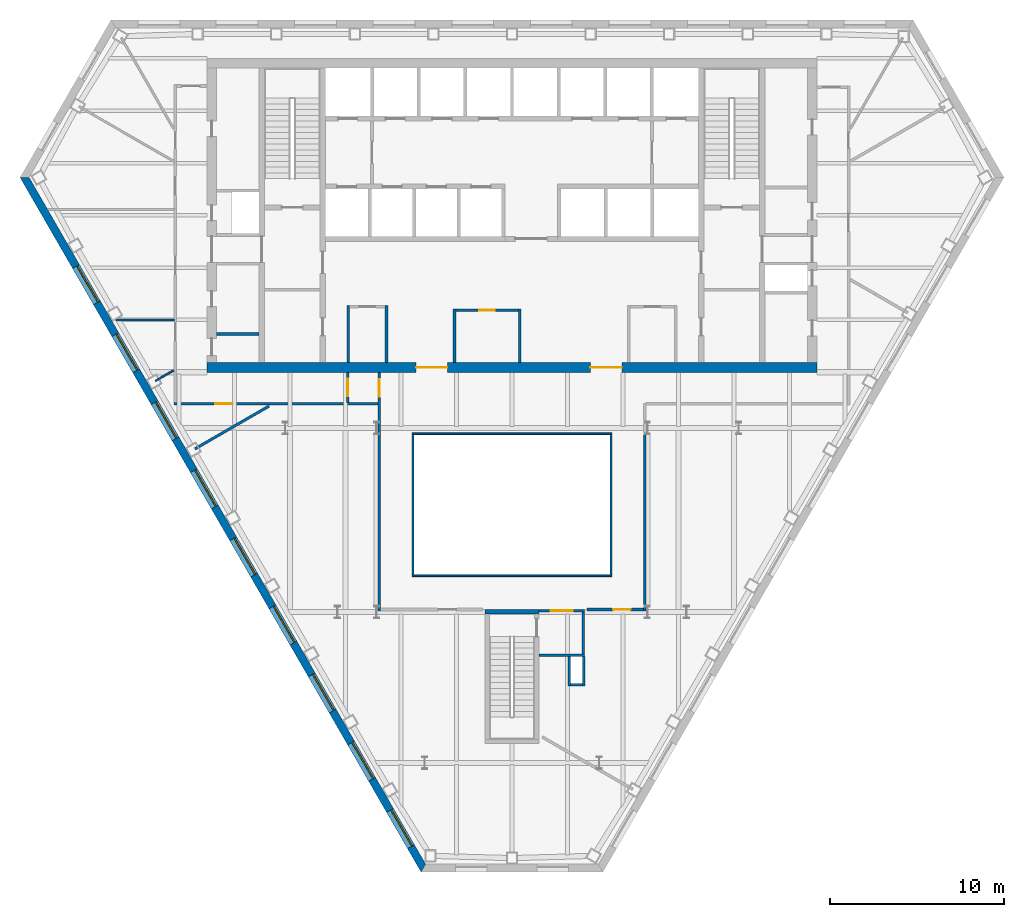
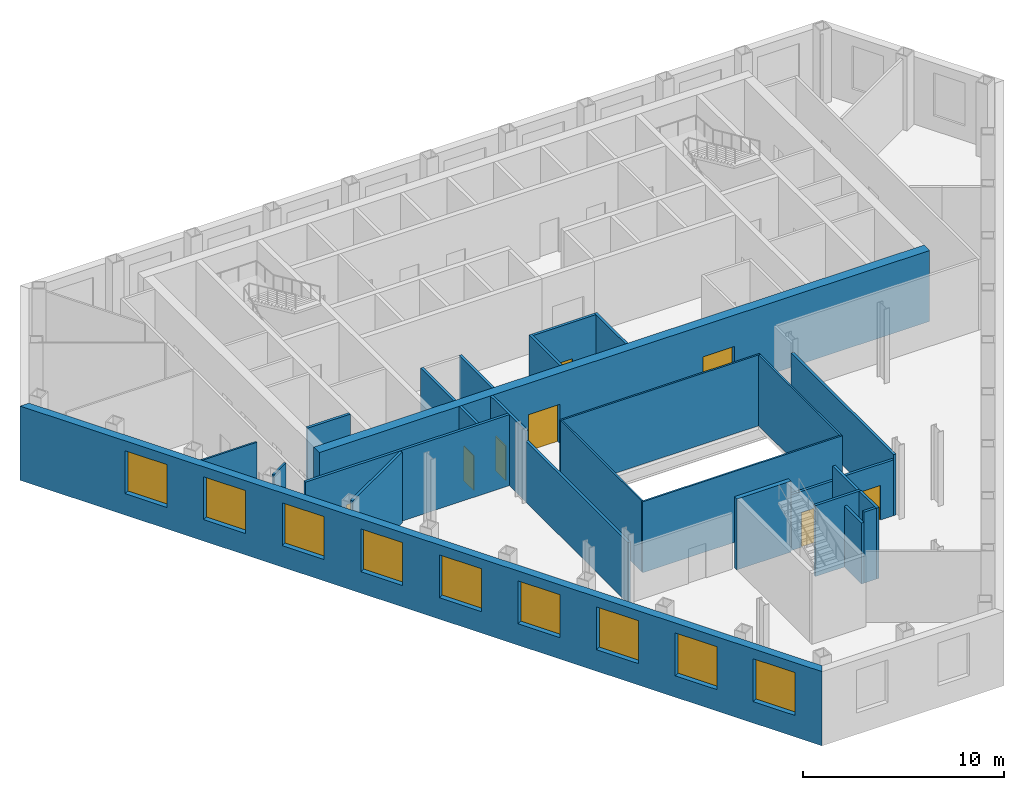
# One storey, part 4 of 11: 28 walls, 9 windows, 8 doors, 17 openings.
"""IFC4 building model written with IfcOpenShell, lengths in metres."""

import ifcopenshell
import ifcopenshell.guid

model = None  # the IFC model being written
_history = None  # IfcOwnerHistory: only IFC2X3 demands one
_inside = {}  # id of a spatial element -> (the spatial element, [elements in it])
_under = {}  # id of a project, library or spatial element -> (it, [spatial elements below it])
_declared = {}  # id of a project -> (the project, [libraries it declares])
_typed = {}  # id of a type object -> (the type object, [elements of that type])
_made_of = {}  # id of a material, layer set ... -> (it, [elements and type objects made of it])


def new_model(schema):
    """Start an empty IFC model of exactly this schema.

    Asked for "IFC4X3", IfcOpenShell would pick the latest addendum, in which some entities
    have other attributes; the version numbers below select the first issue.
    IFC2X3 requires an IfcOwnerHistory on every rooted entity: one is made here for all.
    """
    global model, _history
    if schema == "IFC4X3":
        model = ifcopenshell.file(schema_version=(4, 3, 0, 0))
    else:
        model = ifcopenshell.file(schema=schema)
    _inside.clear()
    _under.clear()
    _declared.clear()
    _typed.clear()
    _made_of.clear()
    _history = None
    if model.schema == "IFC2X3":
        org = make("IfcOrganization", Name="unknown")
        user = make(
            "IfcPersonAndOrganization",
            ThePerson=make("IfcPerson", FamilyName="unknown"),
            TheOrganization=org,
        )
        app = make(
            "IfcApplication",
            ApplicationDeveloper=org,
            Version="unknown",
            ApplicationFullName="unknown",
            ApplicationIdentifier="unknown",
        )
        _history = make(
            "IfcOwnerHistory",
            OwningUser=user,
            OwningApplication=app,
            ChangeAction="ADDED",
            CreationDate=0,
        )
    return model


def make(cls, **values):
    """One entity of the class cls with the attributes given. An attribute that is None is left unset."""
    return model.create_entity(
        cls, **{name: value for name, value in values.items() if value is not None}
    )


def rooted(cls, **values):
    """An entity with a GlobalId (a new one), such as an element, a storey or a relation."""
    return make(cls, GlobalId=ifcopenshell.guid.new(), OwnerHistory=_history, **values)


def si_unit(unit_type, name, prefix=None):
    """IfcSIUnit, for example si_unit("LENGTHUNIT", "METRE", prefix="MILLI")."""
    return make("IfcSIUnit", UnitType=unit_type, Prefix=prefix, Name=name)


def assignment(units):
    """IfcUnitAssignment: the units of a project."""
    return None if units is None else make("IfcUnitAssignment", Units=units)


def point(xyz):
    """IfcCartesianPoint."""
    return None if xyz is None else make("IfcCartesianPoint", Coordinates=xyz)


def direction(xyz):
    """IfcDirection."""
    return None if xyz is None else make("IfcDirection", DirectionRatios=xyz)


def frame(location, z_axis=None, x_axis=None):
    """IfcAxis2Placement3D, a coordinate frame: its origin and axes. An axis left out is left unset."""
    return make(
        "IfcAxis2Placement3D",
        Location=point(location),
        Axis=direction(z_axis),
        RefDirection=direction(x_axis),
    )


def frame_2d(location, x_axis=None):
    """IfcAxis2Placement2D, a coordinate frame in the plane: its origin and x axis."""
    return make(
        "IfcAxis2Placement2D", Location=point(location), RefDirection=direction(x_axis)
    )


def origin():
    """The frame at (0, 0, 0) with its axes left unset."""
    return frame((0.0, 0.0, 0.0))


def place(relative_to, where):
    """IfcLocalPlacement: puts the frame where relative to a parent placement (None: the world)."""
    return make(
        "IfcLocalPlacement", PlacementRelTo=relative_to, RelativePlacement=where
    )


def context(
    kind, dimensions, precision=None, world=None, true_north=None, identifier=None
):
    """IfcGeometricRepresentationContext, for example the 3D "Model" context."""
    return make(
        "IfcGeometricRepresentationContext",
        ContextIdentifier=identifier,
        ContextType=kind,
        CoordinateSpaceDimension=dimensions,
        Precision=precision,
        WorldCoordinateSystem=world,
        TrueNorth=true_north,
    )


def subcontext(parent, identifier, kind, view, scale=None):
    """IfcGeometricRepresentationSubContext, for example "Body" below "Model"."""
    return make(
        "IfcGeometricRepresentationSubContext",
        ContextIdentifier=identifier,
        ContextType=kind,
        ParentContext=parent,
        TargetScale=scale,
        TargetView=view,
    )


def project(units=None, contexts=None):
    """IfcProject with its units and contexts."""
    return rooted(
        "IfcProject",
        Name="project",
        RepresentationContexts=contexts,
        UnitsInContext=assignment(units),
    )


def spatial(cls, under=None, at=None, **own):
    """A site, building, storey or space (cls), placed at a placement, below another one or the project."""
    s = rooted(cls, ObjectPlacement=at, **own)
    if under is not None:
        _under.setdefault(under.id(), (under, []))[1].append(s)
    return s


def polyline(points):
    """IfcPolyline through the points."""
    return make("IfcPolyline", Points=[point(p) for p in points])


def profile(cls, at=None, kind="AREA", **sizes):
    """A parametric profile (cls). Its sizes go by their IFC names, for example OverallWidth=200.0."""
    return make(cls, ProfileType=kind, Position=at, **sizes)


def rectangle(**sizes):
    """IfcRectangleProfileDef."""
    return profile("IfcRectangleProfileDef", **sizes)


def outline(outer, holes=None, kind="AREA"):
    """IfcArbitraryClosedProfileDef: a profile drawn as a closed curve; with holes, ...WithVoids."""
    if holes is None:
        return make("IfcArbitraryClosedProfileDef", ProfileType=kind, OuterCurve=outer)
    return make(
        "IfcArbitraryProfileDefWithVoids",
        ProfileType=kind,
        OuterCurve=outer,
        InnerCurves=holes,
    )


def extrude(swept, where, along, depth):
    """IfcExtrudedAreaSolid: the profile swept, set in the frame where, extruded along a direction by depth."""
    return make(
        "IfcExtrudedAreaSolid",
        SweptArea=swept,
        Position=where,
        ExtrudedDirection=direction(along),
        Depth=depth,
    )


def shape(context_of_items, identifier, shape_type, items):
    """IfcShapeRepresentation: the items that make up one representation, for example the "Body"."""
    return make(
        "IfcShapeRepresentation",
        ContextOfItems=context_of_items,
        RepresentationIdentifier=identifier,
        RepresentationType=shape_type,
        Items=items,
    )


def material(Name=None, Category=None):
    """IfcMaterial."""
    return make("IfcMaterial", Name=Name, Category=Category)


def layer(
    of_material, thickness, ventilated=None, Name=None, Category=None, Priority=None
):
    """IfcMaterialLayer: one layer of a wall or slab, of a material (None: an air gap)."""
    return make(
        "IfcMaterialLayer",
        Material=of_material,
        LayerThickness=thickness,
        IsVentilated=ventilated,
        Name=Name,
        Category=Category,
        Priority=Priority,
    )


def layer_set(layers, Name=None):
    """IfcMaterialLayerSet."""
    return make("IfcMaterialLayerSet", MaterialLayers=layers, LayerSetName=Name)


def made_of(thing, what):
    """Note that an element or type object is made of a material, layer set ...; save() writes the relation."""
    if what is not None:
        _made_of.setdefault(what.id(), (what, []))[1].append(thing)
    return thing


def type_object(cls, material=None, **own):
    """A type object (cls), such as IfcWallType, which elements share."""
    return made_of(rooted(cls, **own), material)


def element(
    cls,
    number,
    at=None,
    inside=None,
    cuts=None,
    type_object=None,
    material=None,
    context=None,
    identifier="Body",
    shape_type=None,
    held_by="IfcProductDefinitionShape",
    body=None,
    shapes=None,
    **own,
):
    """One element of the class cls, such as IfcWall. Its Tag is "e" and its number.

    at: its placement. inside: the storey or other place that contains it. cuts: it is an
    opening in that element (IfcRelVoidsElement). A single representation is given by context,
    identifier, shape_type and body (its items); several are given by shapes. held_by: the class
    of the entity that holds the representations. save() writes the other relations.
    """
    e = rooted(cls, Tag="e%d" % number, ObjectPlacement=at, **own)
    if body is not None:
        shapes = [shape(context, identifier, shape_type, body)]
    if shapes is not None:
        e.Representation = make(held_by, Representations=shapes)
    if inside is not None:
        _inside.setdefault(inside.id(), (inside, []))[1].append(e)
    if cuts is not None:
        rooted(
            "IfcRelVoidsElement", RelatingBuildingElement=cuts, RelatedOpeningElement=e
        )
    if type_object is not None:
        _typed.setdefault(type_object.id(), (type_object, []))[1].append(e)
    return made_of(e, material)


def fill(opening, filler):
    """IfcRelFillsElement: the door or window that sits in an opening."""
    return rooted(
        "IfcRelFillsElement",
        RelatingOpeningElement=opening,
        RelatedBuildingElement=filler,
    )


def aggregate(whole, parts):
    """IfcRelAggregates: a whole, such as a stair, and the parts it consists of."""
    return rooted("IfcRelAggregates", RelatingObject=whole, RelatedObjects=parts)


def save(model, path):
    """Write the relations noted so far, then the file.

    IfcRelAggregates (storeys below a building ...), IfcRelContainedInSpatialStructure (elements
    in a storey), IfcRelDefinesByType, IfcRelAssociatesMaterial and IfcRelDeclares: one each for
    every whole, place, type object, material and project.
    """
    for whole, parts in _under.values():
        aggregate(whole, parts)
    for where, things in _inside.values():
        rooted(
            "IfcRelContainedInSpatialStructure",
            RelatedElements=things,
            RelatingStructure=where,
        )
    for kind, things in _typed.values():
        rooted("IfcRelDefinesByType", RelatedObjects=things, RelatingType=kind)
    for what, things in _made_of.values():
        rooted("IfcRelAssociatesMaterial", RelatedObjects=things, RelatingMaterial=what)
    for by, libraries in _declared.values():
        rooted("IfcRelDeclares", RelatingContext=by, RelatedDefinitions=libraries)
    model.write(path)


model = new_model("IFC4")

# Units and contexts
model_context = context("Model", 3, precision=1e-05, world=origin(), true_north=direction((0.0, 1.0)))
body_context = subcontext(model_context, "Body", "Model", "MODEL_VIEW")
ifc_project = project(units=[si_unit("LENGTHUNIT", "METRE"), si_unit("AREAUNIT", "SQUARE_METRE"), si_unit("VOLUMEUNIT", "CUBIC_METRE"), si_unit("PLANEANGLEUNIT", "RADIAN"), si_unit("MASSUNIT", "GRAM", prefix="KILO")], contexts=[model_context])

# Site, building, storey
site_placement = place(None, origin())
site = spatial("IfcSite", under=ifc_project, at=site_placement, CompositionType="ELEMENT")
building_placement = place(site_placement, origin())
building = spatial("IfcBuilding", under=site, at=building_placement, Name="Njiva Tower", CompositionType="ELEMENT")
storey_placement = place(building_placement, frame((0.0, 0.0, 88.8)))
storey = spatial("IfcBuildingStorey", under=building, at=storey_placement, Name="L18", CompositionType="ELEMENT", Elevation=88.8)

# Walls
ifc_material_1 = material(Name="Blockwork", Category="masonry")
ifc_layer_1 = layer(ifc_material_1, 0.15)
ifc_layer_set_1 = layer_set([ifc_layer_1], Name="Blockwork")
wall_type_1 = type_object("IfcWallType", Name="WT1 Compartment partition 150", PredefinedType="PARTITIONING", material=ifc_layer_set_1)
wall_1_placement = place(storey_placement, frame((-16.95, 2.1948, 0.0), z_axis=(0.0, 0.0, 1.0), x_axis=(1.0, 0.0, 0.0)))
element("IfcWall", 1, at=wall_1_placement, inside=storey, type_object=wall_type_1, Name="Partition strip W00", PredefinedType="PARTITIONING", context=body_context, shape_type="SweptSolid", body=[
    extrude(rectangle(XDim=2.45, YDim=0.15, at=frame_2d((1.225, 0.0))), origin(), (0.0, 0.0, 1.0), 4.3),
])
for number, where, z_axis, x_axis, name in (
    (2, (-9.4, 0.55, 0.0), (0.0, 0.0, 1.0), (0.0, 1.0, 0.0), "Concierge office wall west"),
    (3, (-7.2, 0.55, 0.0), (0.0, 0.0, 1.0), (0.0, 1.0, 0.0), "Concierge office wall east"),
):
    element("IfcWall", number, at=place(storey_placement, frame(where, z_axis=z_axis, x_axis=x_axis)), inside=storey, type_object=wall_type_1, Name=name, PredefinedType="PARTITIONING", context=body_context, shape_type="SweptSolid", body=[
        extrude(rectangle(XDim=3.275, YDim=0.15, at=frame_2d((1.6375, 0.0))), origin(), (0.0, 0.0, 1.0), 4.3),
    ])
for number, where, z_axis, x_axis, name in (
    (4, (-3.3, 0.55, 0.0), (0.0, 0.0, 1.0), (0.0, 1.0, 0.0), "Post room wall west"),
    (5, (0.45, 0.55, 0.0), (0.0, 0.0, 1.0), (0.0, 1.0, 0.0), "Post room wall east"),
):
    element("IfcWall", number, at=place(storey_placement, frame(where, z_axis=z_axis, x_axis=x_axis)), inside=storey, type_object=wall_type_1, Name=name, PredefinedType="PARTITIONING", context=body_context, shape_type="SweptSolid", body=[
        extrude(rectangle(XDim=3.075, YDim=0.15, at=frame_2d((1.5375, 0.0))), origin(), (0.0, 0.0, 1.0), 4.3),
    ])

# Wall, opening, door
wall_2_placement = place(storey_placement, frame((-3.225, 3.55, 0.0), z_axis=(0.0, 0.0, 1.0), x_axis=(1.0, 0.0, 0.0)))
wall_2 = element("IfcWall", 6, at=wall_2_placement, inside=storey, type_object=wall_type_1, Name="Post room wall north", PredefinedType="PARTITIONING", context=body_context, shape_type="SweptSolid", body=[
    extrude(rectangle(XDim=3.6, YDim=0.15, at=frame_2d((1.8, 0.0))), origin(), (0.0, 0.0, 1.0), 4.3),
])
opening_1_placement = place(wall_2_placement, frame((1.35, 0.0, 0.0)))
opening_1 = element("IfcOpeningElement", 7, at=opening_1_placement, cuts=wall_2, Name="Opening S06-D933", PredefinedType="OPENING", context=body_context, shape_type="SweptSolid", body=[
    extrude(rectangle(XDim=0.9, YDim=2.1, at=frame_2d((0.45, 1.05))), frame((0.0, 0.085, 0.0), z_axis=(0.0, -1.0, 0.0), x_axis=(1.0, 0.0, 0.0)), (0.0, 0.0, 1.0), 0.17),
])
ifc_material_2 = material(Name="Steel fire door, painted", Category="steel")
door_type_1 = type_object("IfcDoorType", Name="D6 Fire-rated door 900x2100", OperationType="SINGLE_SWING_LEFT", PredefinedType="DOOR", material=ifc_material_2)
door_1_placement = place(opening_1_placement, origin())
door_1 = element("IfcDoor", 8, at=door_1_placement, inside=storey, type_object=door_type_1, Name="Post room door", OperationType="SINGLE_SWING_LEFT", OverallHeight=2.1, OverallWidth=0.9, PredefinedType="DOOR", context=body_context, shape_type="SweptSolid", body=[
    extrude(rectangle(XDim=0.9, YDim=2.1, at=frame_2d((0.45, 1.05))), frame((0.0, 0.025, 0.0), z_axis=(0.0, -1.0, 0.0), x_axis=(1.0, 0.0, 0.0)), (0.0, 0.0, 1.0), 0.05),
])
fill(opening_1, door_1)

# Wall, openings, doors
ifc_material_3 = material(Name="Concrete C60/75", Category="concrete")
ifc_layer_2 = layer(ifc_material_3, 0.55)
ifc_layer_set_2 = layer_set([ifc_layer_2], Name="Concrete C60/75")
wall_type_2 = type_object("IfcWallType", Name="WT14 Core wall 550", PredefinedType="SHEAR", material=ifc_layer_set_2)
wall_3_placement = place(storey_placement, frame((-17.5, 0.275, 0.0), z_axis=(0.0, 0.0, 1.0), x_axis=(1.0, 0.0, 0.0)))
wall_3 = element("IfcWall", 9, at=wall_3_placement, inside=storey, type_object=wall_type_2, Name="Core wall south", PredefinedType="SHEAR", context=body_context, shape_type="SweptSolid", body=[
    extrude(rectangle(XDim=35.0, YDim=0.55, at=frame_2d((17.5, 0.0))), origin(), (0.0, 0.0, 1.0), 4.3),
])
opening_2_placement = place(wall_3_placement, frame((12.0, 0.0, 0.0)))
opening_2 = element("IfcOpeningElement", 10, at=opening_2_placement, cuts=wall_3, Name="Opening S06-D936", PredefinedType="OPENING", context=body_context, shape_type="SweptSolid", body=[
    extrude(rectangle(XDim=1.8, YDim=2.4, at=frame_2d((0.9, 1.2))), frame((0.0, 0.285, 0.0), z_axis=(0.0, -1.0, 0.0), x_axis=(1.0, 0.0, 0.0)), (0.0, 0.0, 1.0), 0.57),
])
opening_3_placement = place(wall_3_placement, frame((22.0, 0.0, 0.0)))
opening_3 = element("IfcOpeningElement", 11, at=opening_3_placement, cuts=wall_3, Name="Opening S06-D937", PredefinedType="OPENING", context=body_context, shape_type="SweptSolid", body=[
    extrude(rectangle(XDim=1.8, YDim=2.4, at=frame_2d((0.9, 1.2))), frame((0.0, 0.285, 0.0), z_axis=(0.0, -1.0, 0.0), x_axis=(1.0, 0.0, 0.0)), (0.0, 0.0, 1.0), 0.57),
])
ifc_material_4 = material(Name="Steel and glass door", Category="steel")
door_type_2 = type_object("IfcDoorType", Name="D3 Core entrance door 1800x2400", OperationType="DOUBLE_DOOR_SINGLE_SWING", PredefinedType="DOOR", material=ifc_material_4)
door_2_placement = place(opening_2_placement, origin())
door_2 = element("IfcDoor", 12, at=door_2_placement, inside=storey, type_object=door_type_2, Name="Core entrance door", OperationType="DOUBLE_DOOR_SINGLE_SWING", OverallHeight=2.4, OverallWidth=1.8, PredefinedType="DOOR", context=body_context, shape_type="SweptSolid", body=[
    extrude(rectangle(XDim=1.8, YDim=2.4, at=frame_2d((0.9, 1.2))), frame((0.0, 0.025, 0.0), z_axis=(0.0, -1.0, 0.0), x_axis=(1.0, 0.0, 0.0)), (0.0, 0.0, 1.0), 0.05),
])
fill(opening_2, door_2)
door_3_placement = place(opening_3_placement, origin())
door_3 = element("IfcDoor", 13, at=door_3_placement, inside=storey, type_object=door_type_2, Name="Core entrance door", OperationType="DOUBLE_DOOR_SINGLE_SWING", OverallHeight=2.4, OverallWidth=1.8, PredefinedType="DOOR", context=body_context, shape_type="SweptSolid", body=[
    extrude(rectangle(XDim=1.8, YDim=2.4, at=frame_2d((0.9, 1.2))), frame((0.0, 0.025, 0.0), z_axis=(0.0, -1.0, 0.0), x_axis=(1.0, 0.0, 0.0)), (0.0, 0.0, 1.0), 0.05),
])
fill(opening_3, door_3)

# Walls
ifc_material_5 = material(Name="Gypsum board on steel studs", Category="gypsum")
ifc_layer_3 = layer(ifc_material_5, 0.1)
ifc_layer_set_3 = layer_set([ifc_layer_3], Name="Gypsum board on steel studs")
wall_type_3 = type_object("IfcWallType", Name="WT20 Gypsum partition 100", PredefinedType="PARTITIONING", material=ifc_layer_set_3)
wall_4_placement = place(storey_placement, frame((-22.68, 3.004, 0.0), z_axis=(0.0, 0.0, 1.0), x_axis=(0.99999885563, -0.001512857573, 0.0)))
element("IfcWall", 14, at=wall_4_placement, inside=storey, type_object=wall_type_3, Name="Partition S06-P003", PredefinedType="PARTITIONING", context=body_context, shape_type="SweptSolid", body=[
    extrude(rectangle(XDim=3.305, YDim=0.1, at=frame_2d((1.6525, 0.0))), origin(), (0.0, 0.0, 1.0), 3.8),
])
wall_5_placement = place(storey_placement, frame((-20.44, -0.49, 0.0), z_axis=(0.0, 0.0, 1.0), x_axis=(0.866546020567, 0.499097179154, 0.0)))
element("IfcWall", 15, at=wall_5_placement, inside=storey, type_object=wall_type_3, Name="Partition S06-P005", PredefinedType="PARTITIONING", context=body_context, shape_type="SweptSolid", body=[
    extrude(rectangle(XDim=1.2002, YDim=0.1, at=frame_2d((0.6001, 0.0))), origin(), (0.0, 0.0, 1.0), 4.3),
])

# Wall, opening, door
ifc_layer_4 = layer(ifc_material_5, 0.15)
ifc_layer_set_4 = layer_set([ifc_layer_4], Name="Gypsum board on steel studs")
wall_type_4 = type_object("IfcWallType", Name="WT21 Compartment wall 150", PredefinedType="PARTITIONING", material=ifc_layer_set_4)
wall_6_placement = place(storey_placement, frame((-19.375, -1.8, 0.0), z_axis=(0.0, 0.0, 1.0), x_axis=(1.0, 0.0, 0.0)))
wall_6 = element("IfcWall", 16, at=wall_6_placement, inside=storey, type_object=wall_type_4, Name="Partition S06-P006", PredefinedType="PARTITIONING", context=body_context, shape_type="SweptSolid", body=[
    extrude(rectangle(XDim=11.69, YDim=0.15, at=frame_2d((5.845, 0.0))), origin(), (0.0, 0.0, 1.0), 4.3),
])
opening_4_placement = place(wall_6_placement, frame((2.365, 0.0, 0.0)))
opening_4 = element("IfcOpeningElement", 17, at=opening_4_placement, cuts=wall_6, Name="Opening S06-D001", PredefinedType="OPENING", context=body_context, shape_type="SweptSolid", body=[
    extrude(rectangle(XDim=1.0, YDim=2.1, at=frame_2d((0.5, 1.05))), frame((0.0, 0.085, 0.0), z_axis=(0.0, -1.0, 0.0), x_axis=(1.0, 0.0, 0.0)), (0.0, 0.0, 1.0), 0.17),
])
ifc_material_6 = material(Name="Steel fire door set", Category="steel")
door_type_3 = type_object("IfcDoorType", Name="D37 Fire door 1000x2100", OperationType="SINGLE_SWING_LEFT", PredefinedType="DOOR", material=ifc_material_6)
door_4_placement = place(opening_4_placement, origin())
door_4 = element("IfcDoor", 18, at=door_4_placement, inside=storey, type_object=door_type_3, Name="Door S06-D001", OperationType="SINGLE_SWING_LEFT", OverallHeight=2.1, OverallWidth=1.0, PredefinedType="DOOR", context=body_context, shape_type="SweptSolid", body=[
    extrude(rectangle(XDim=1.0, YDim=2.1, at=frame_2d((0.5, 1.05))), frame((0.0, 0.025, 0.0), z_axis=(0.0, -1.0, 0.0), x_axis=(1.0, 0.0, 0.0)), (0.0, 0.0, 1.0), 0.05),
])
fill(opening_4, door_4)

# Wall
wall_7_placement = place(storey_placement, frame((-18.186, -4.394, 0.0), z_axis=(0.0, 0.0, 1.0), x_axis=(0.866053278629, 0.499951716245, 0.0)))
element("IfcWall", 19, at=wall_7_placement, inside=storey, type_object=wall_type_4, Name="Partition S06-P011", PredefinedType="PARTITIONING", context=body_context, shape_type="SweptSolid", body=[
    extrude(rectangle(XDim=4.9085, YDim=0.15, at=frame_2d((2.4542, 0.0))), origin(), (0.0, 0.0, 1.0), 4.3),
])

# Wall, opening, door
wall_8_placement = place(storey_placement, frame((-9.41, -1.725, 0.0), z_axis=(0.0, 0.0, 1.0), x_axis=(0.0, 1.0, 0.0)))
wall_8 = element("IfcWall", 20, at=wall_8_placement, inside=storey, type_object=wall_type_4, Name="Partition S06-P012", PredefinedType="PARTITIONING", context=body_context, shape_type="SweptSolid", body=[
    extrude(rectangle(XDim=1.725, YDim=0.15, at=frame_2d((0.8625, 0.0))), origin(), (0.0, 0.0, 1.0), 4.3),
])
opening_5_placement = place(wall_8_placement, frame((0.363, 0.0, 0.0)))
opening_5 = element("IfcOpeningElement", 21, at=opening_5_placement, cuts=wall_8, Name="Opening S06-D007", PredefinedType="OPENING", context=body_context, shape_type="SweptSolid", body=[
    extrude(rectangle(XDim=1.0, YDim=2.1, at=frame_2d((0.5, 1.05))), frame((0.0, 0.085, 0.0), z_axis=(0.0, -1.0, 0.0), x_axis=(1.0, 0.0, 0.0)), (0.0, 0.0, 1.0), 0.17),
])
door_5_placement = place(opening_5_placement, origin())
door_5 = element("IfcDoor", 22, at=door_5_placement, inside=storey, type_object=door_type_3, Name="Door S06-D007", OperationType="SINGLE_SWING_LEFT", OverallHeight=2.1, OverallWidth=1.0, PredefinedType="DOOR", context=body_context, shape_type="SweptSolid", body=[
    extrude(rectangle(XDim=1.0, YDim=2.1, at=frame_2d((0.5, 1.05))), frame((0.0, 0.025, 0.0), z_axis=(0.0, -1.0, 0.0), x_axis=(1.0, 0.0, 0.0)), (0.0, 0.0, 1.0), 0.05),
])
fill(opening_5, door_5)

# Wall
wall_9_placement = place(storey_placement, frame((-7.61, -13.675, 0.0), z_axis=(0.0, 0.0, 1.0), x_axis=(0.0, 1.0, 0.0)))
element("IfcWall", 23, at=wall_9_placement, inside=storey, type_object=wall_type_4, Name="Partition S06-P013", PredefinedType="PARTITIONING", context=body_context, shape_type="SweptSolid", body=[
    extrude(rectangle(XDim=10.167, YDim=0.15, at=frame_2d((5.0835, 0.0))), origin(), (0.0, 0.0, 1.0), 3.7),
])

# Wall, opening, door
wall_10_placement = place(storey_placement, frame((-7.61, -3.508, 0.0), z_axis=(0.0, 0.0, 1.0), x_axis=(0.0, 1.0, 0.0)))
wall_10 = element("IfcWall", 24, at=wall_10_placement, inside=storey, type_object=wall_type_4, Name="Partition S06-P013A", PredefinedType="PARTITIONING", context=body_context, shape_type="SweptSolid", body=[
    extrude(rectangle(XDim=3.508, YDim=0.15, at=frame_2d((1.754, 0.0))), origin(), (0.0, 0.0, 1.0), 4.3),
])
opening_6_placement = place(wall_10_placement, frame((2.108, 0.0, 0.0)))
opening_6 = element("IfcOpeningElement", 25, at=opening_6_placement, cuts=wall_10, Name="Opening S06-D008", PredefinedType="OPENING", context=body_context, shape_type="SweptSolid", body=[
    extrude(rectangle(XDim=1.0, YDim=2.1, at=frame_2d((0.5, 1.05))), frame((0.0, 0.085, 0.0), z_axis=(0.0, -1.0, 0.0), x_axis=(1.0, 0.0, 0.0)), (0.0, 0.0, 1.0), 0.17),
])
door_6_placement = place(opening_6_placement, origin())
door_6 = element("IfcDoor", 26, at=door_6_placement, inside=storey, type_object=door_type_3, Name="Door S06-D008", OperationType="SINGLE_SWING_LEFT", OverallHeight=2.1, OverallWidth=1.0, PredefinedType="DOOR", context=body_context, shape_type="SweptSolid", body=[
    extrude(rectangle(XDim=1.0, YDim=2.1, at=frame_2d((0.5, 1.05))), frame((0.0, 0.025, 0.0), z_axis=(0.0, -1.0, 0.0), x_axis=(1.0, 0.0, 0.0)), (0.0, 0.0, 1.0), 0.05),
])
fill(opening_6, door_6)

wall_11_placement = place(storey_placement, frame((4.3, -13.6, 0.0), z_axis=(0.0, 0.0, 1.0), x_axis=(1.0, 0.0, 0.0)))
wall_11 = element("IfcWall", 27, at=wall_11_placement, inside=storey, type_object=wall_type_4, Name="Partition S06-P016", PredefinedType="PARTITIONING", context=body_context, shape_type="SweptSolid", body=[
    extrude(rectangle(XDim=3.235, YDim=0.15, at=frame_2d((1.6175, 0.0))), origin(), (0.0, 0.0, 1.0), 3.39),
])
opening_7_placement = place(wall_11_placement, frame((1.498, 0.0, 0.0)))
opening_7 = element("IfcOpeningElement", 28, at=opening_7_placement, cuts=wall_11, Name="Opening S06-D010", PredefinedType="OPENING", context=body_context, shape_type="SweptSolid", body=[
    extrude(rectangle(XDim=1.0, YDim=2.1, at=frame_2d((0.5, 1.05))), frame((0.0, 0.085, 0.0), z_axis=(0.0, -1.0, 0.0), x_axis=(1.0, 0.0, 0.0)), (0.0, 0.0, 1.0), 0.17),
])
door_7_placement = place(opening_7_placement, origin())
door_7 = element("IfcDoor", 29, at=door_7_placement, inside=storey, type_object=door_type_3, Name="Door S06-D010", OperationType="SINGLE_SWING_RIGHT", OverallHeight=2.1, OverallWidth=1.0, PredefinedType="DOOR", context=body_context, shape_type="SweptSolid", body=[
    extrude(rectangle(XDim=1.0, YDim=2.1, at=frame_2d((0.5, 1.05))), frame((0.0, 0.025, 0.0), z_axis=(0.0, -1.0, 0.0), x_axis=(1.0, 0.0, 0.0)), (0.0, 0.0, 1.0), 0.05),
])
fill(opening_7, door_7)

# Walls
wall_12_placement = place(storey_placement, frame((7.61, -13.675, 0.0), z_axis=(0.0, 0.0, 1.0), x_axis=(0.0, 1.0, 0.0)))
element("IfcWall", 30, at=wall_12_placement, inside=storey, type_object=wall_type_4, Name="Partition S06-P017", PredefinedType="PARTITIONING", context=body_context, shape_type="SweptSolid", body=[
    extrude(rectangle(XDim=10.167, YDim=0.15, at=frame_2d((5.0835, 0.0))), origin(), (0.0, 0.0, 1.0), 3.7),
])
ifc_layer_5 = layer(ifc_material_1, 0.15)
ifc_layer_set_5 = layer_set([ifc_layer_5], Name="Blockwork")
wall_type_5 = type_object("IfcWallType", Name="WT4 Stair partition 150", PredefinedType="PARTITIONING", material=ifc_layer_set_5)
wall_13_placement = place(storey_placement, frame((1.55, -16.225, 0.0), z_axis=(0.0, 0.0, 1.0), x_axis=(1.0, 0.0, 0.0)))
element("IfcWall", 31, at=wall_13_placement, inside=storey, type_object=wall_type_5, Name="Stair C vestibule wall south", PredefinedType="PARTITIONING", context=body_context, shape_type="SweptSolid", body=[
    extrude(rectangle(XDim=2.6, YDim=0.15, at=frame_2d((1.3, 0.0))), origin(), (0.0, 0.0, 1.0), 4.3),
])
wall_14_placement = place(storey_placement, frame((4.075, -16.15, 0.0), z_axis=(0.0, 0.0, 1.0), x_axis=(0.0, 1.0, 0.0)))
element("IfcWall", 32, at=wall_14_placement, inside=storey, type_object=wall_type_5, Name="Stair C vestibule wall east", PredefinedType="PARTITIONING", context=body_context, shape_type="SweptSolid", body=[
    extrude(rectangle(XDim=2.4, YDim=0.15, at=frame_2d((1.2, 0.0))), origin(), (0.0, 0.0, 1.0), 4.3),
])

# Wall, opening, door
wall_15_placement = place(storey_placement, frame((1.55, -13.675, 0.0), z_axis=(0.0, 0.0, 1.0), x_axis=(1.0, 0.0, 0.0)))
wall_15 = element("IfcWall", 33, at=wall_15_placement, inside=storey, type_object=wall_type_5, Name="Stair C vestibule wall north", PredefinedType="PARTITIONING", context=body_context, shape_type="SweptSolid", body=[
    extrude(rectangle(XDim=2.6, YDim=0.15, at=frame_2d((1.3, 0.0))), origin(), (0.0, 0.0, 1.0), 3.39),
])
opening_8_placement = place(wall_15_placement, frame((0.675, 0.0, 0.0)))
opening_8 = element("IfcOpeningElement", 34, at=opening_8_placement, cuts=wall_15, Name="Opening S06-D939", PredefinedType="OPENING", context=body_context, shape_type="SweptSolid", body=[
    extrude(rectangle(XDim=1.25, YDim=2.1, at=frame_2d((0.625, 1.05))), frame((0.0, 0.085, 0.0), z_axis=(0.0, -1.0, 0.0), x_axis=(1.0, 0.0, 0.0)), (0.0, 0.0, 1.0), 0.17),
])
ifc_material_7 = material(Name="Glazed steel fire door", Category="steel")
door_type_4 = type_object("IfcDoorType", Name="D8 Vestibule corridor door 1250x2100 glazed", OperationType="SINGLE_SWING_LEFT", PredefinedType="DOOR", material=ifc_material_7)
door_8_placement = place(opening_8_placement, origin())
door_8 = element("IfcDoor", 35, at=door_8_placement, inside=storey, type_object=door_type_4, Name="Stair vestibule corridor door", OperationType="SINGLE_SWING_RIGHT", OverallHeight=2.1, OverallWidth=1.25, PredefinedType="DOOR", context=body_context, shape_type="SweptSolid", body=[
    extrude(rectangle(XDim=1.25, YDim=2.1, at=frame_2d((0.625, 1.05))), frame((0.0, 0.025, 0.0), z_axis=(0.0, -1.0, 0.0), x_axis=(1.0, 0.0, 0.0)), (0.0, 0.0, 1.0), 0.05),
])
fill(opening_8, door_8)

# Walls
wall_16_placement = place(storey_placement, frame((3.275, -18.0, 0.0), z_axis=(0.0, 0.0, 1.0), x_axis=(0.0, 1.0, 0.0)))
element("IfcWall", 36, at=wall_16_placement, inside=storey, type_object=wall_type_5, Name="Stair C pressurisation shaft wall", PredefinedType="PARTITIONING", context=body_context, shape_type="SweptSolid", body=[
    extrude(rectangle(XDim=1.7, YDim=0.15, at=frame_2d((0.85, 0.0))), origin(), (0.0, 0.0, 1.0), 3.7),
])
wall_17_placement = place(storey_placement, frame((3.35, -17.925, 0.0), z_axis=(0.0, 0.0, 1.0), x_axis=(1.0, 0.0, 0.0)))
element("IfcWall", 37, at=wall_17_placement, inside=storey, type_object=wall_type_5, Name="Stair C pressurisation shaft wall", PredefinedType="PARTITIONING", context=body_context, shape_type="SweptSolid", body=[
    extrude(rectangle(XDim=0.7, YDim=0.15, at=frame_2d((0.35, 0.0))), origin(), (0.0, 0.0, 1.0), 4.3),
])
wall_18_placement = place(storey_placement, frame((4.125, -18.0, 0.0), z_axis=(0.0, 0.0, 1.0), x_axis=(0.0, 1.0, 0.0)))
element("IfcWall", 38, at=wall_18_placement, inside=storey, type_object=wall_type_5, Name="Stair C pressurisation shaft wall", PredefinedType="PARTITIONING", context=body_context, shape_type="SweptSolid", body=[
    extrude(rectangle(XDim=1.7, YDim=0.15, at=frame_2d((0.85, 0.0))), origin(), (0.0, 0.0, 1.0), 4.3),
])
ifc_material_8 = material(Name="Concrete C40/50", Category="concrete")
ifc_layer_6 = layer(ifc_material_8, 0.25)
ifc_layer_set_6 = layer_set([ifc_layer_6], Name="Concrete C40/50")
wall_type_6 = type_object("IfcWallType", Name="WT9 Stair enclosure wall 250", PredefinedType="SHEAR", material=ifc_layer_set_6)
wall_19_placement = place(storey_placement, frame((-1.55, -13.725, 0.0), z_axis=(0.0, 0.0, 1.0), x_axis=(1.0, 0.0, 0.0)))
element("IfcWall", 39, at=wall_19_placement, inside=storey, type_object=wall_type_6, Name="Stair C wall north", PredefinedType="SHEAR", context=body_context, shape_type="SweptSolid", body=[
    extrude(rectangle(XDim=3.1, YDim=0.25, at=frame_2d((1.55, 0.0))), origin(), (0.0, 0.0, 1.0), 4.3),
])

# Wall, openings, windows
ifc_material_9 = material(Name="Brick masonry", Category="masonry")
ifc_layer_7 = layer(ifc_material_9, 0.45)
ifc_layer_set_7 = layer_set([ifc_layer_7], Name="Brick masonry")
wall_type_7 = type_object("IfcWallType", Name="WT90 Brick pier and spandrel wall 450", PredefinedType="SOLIDWALL", material=ifc_layer_set_7)
wall_20_placement = place(storey_placement, frame((-27.9502, 11.1674, -0.4), z_axis=(0.0, 0.0, 1.0), x_axis=(0.499999194392, -0.866025868902, 0.0)))
wall_20 = element("IfcWall", 40, at=wall_20_placement, inside=storey, type_object=wall_type_7, Name="Facade wall SW", PredefinedType="SOLIDWALL", context=body_context, shape_type="SweptSolid", body=[
    extrude(outline(polyline([(-0.1299, -0.225), (45.8602, -0.225), (45.6004, 0.225), (0.1299, 0.225), (-0.1299, -0.225)])), origin(), (0.0, 0.0, 1.0), 4.5),
])
opening_9_placement = place(wall_20_placement, frame((5.8919, 0.0, 1.3)))
opening_9 = element("IfcOpeningElement", 41, at=opening_9_placement, cuts=wall_20, Name="Opening S06-W13", PredefinedType="OPENING", context=body_context, shape_type="SweptSolid", body=[
    extrude(rectangle(XDim=2.4, YDim=2.6, at=frame_2d((1.2, 1.3))), frame((0.0, 0.235, 0.0), z_axis=(0.0, -1.0, 0.0), x_axis=(1.0, 0.0, 0.0)), (0.0, 0.0, 1.0), 0.47),
])
opening_10_placement = place(wall_20_placement, frame((10.3985, 0.0, 1.3)))
opening_10 = element("IfcOpeningElement", 42, at=opening_10_placement, cuts=wall_20, Name="Opening S06-W14", PredefinedType="OPENING", context=body_context, shape_type="SweptSolid", body=[
    extrude(rectangle(XDim=2.4, YDim=2.6, at=frame_2d((1.2, 1.3))), frame((0.0, 0.235, 0.0), z_axis=(0.0, -1.0, 0.0), x_axis=(1.0, 0.0, 0.0)), (0.0, 0.0, 1.0), 0.47),
])
opening_11_placement = place(wall_20_placement, frame((14.9052, 0.0, 1.3)))
opening_11 = element("IfcOpeningElement", 43, at=opening_11_placement, cuts=wall_20, Name="Opening S06-W15", PredefinedType="OPENING", context=body_context, shape_type="SweptSolid", body=[
    extrude(rectangle(XDim=2.4, YDim=2.6, at=frame_2d((1.2, 1.3))), frame((0.0, 0.235, 0.0), z_axis=(0.0, -1.0, 0.0), x_axis=(1.0, 0.0, 0.0)), (0.0, 0.0, 1.0), 0.47),
])
opening_12_placement = place(wall_20_placement, frame((19.4118, 0.0, 1.3)))
opening_12 = element("IfcOpeningElement", 44, at=opening_12_placement, cuts=wall_20, Name="Opening S06-W16", PredefinedType="OPENING", context=body_context, shape_type="SweptSolid", body=[
    extrude(rectangle(XDim=2.4, YDim=2.6, at=frame_2d((1.2, 1.3))), frame((0.0, 0.235, 0.0), z_axis=(0.0, -1.0, 0.0), x_axis=(1.0, 0.0, 0.0)), (0.0, 0.0, 1.0), 0.47),
])
opening_13_placement = place(wall_20_placement, frame((23.9184, 0.0, 1.3)))
opening_13 = element("IfcOpeningElement", 45, at=opening_13_placement, cuts=wall_20, Name="Opening S06-W17", PredefinedType="OPENING", context=body_context, shape_type="SweptSolid", body=[
    extrude(rectangle(XDim=2.4, YDim=2.6, at=frame_2d((1.2, 1.3))), frame((0.0, 0.235, 0.0), z_axis=(0.0, -1.0, 0.0), x_axis=(1.0, 0.0, 0.0)), (0.0, 0.0, 1.0), 0.47),
])
opening_14_placement = place(wall_20_placement, frame((28.425, 0.0, 1.3)))
opening_14 = element("IfcOpeningElement", 46, at=opening_14_placement, cuts=wall_20, Name="Opening S06-W18", PredefinedType="OPENING", context=body_context, shape_type="SweptSolid", body=[
    extrude(rectangle(XDim=2.4, YDim=2.6, at=frame_2d((1.2, 1.3))), frame((0.0, 0.235, 0.0), z_axis=(0.0, -1.0, 0.0), x_axis=(1.0, 0.0, 0.0)), (0.0, 0.0, 1.0), 0.47),
])
opening_15_placement = place(wall_20_placement, frame((32.9316, 0.0, 1.3)))
opening_15 = element("IfcOpeningElement", 47, at=opening_15_placement, cuts=wall_20, Name="Opening S06-W19", PredefinedType="OPENING", context=body_context, shape_type="SweptSolid", body=[
    extrude(rectangle(XDim=2.4, YDim=2.6, at=frame_2d((1.2, 1.3))), frame((0.0, 0.235, 0.0), z_axis=(0.0, -1.0, 0.0), x_axis=(1.0, 0.0, 0.0)), (0.0, 0.0, 1.0), 0.47),
])
opening_16_placement = place(wall_20_placement, frame((37.4383, 0.0, 1.3)))
opening_16 = element("IfcOpeningElement", 48, at=opening_16_placement, cuts=wall_20, Name="Opening S06-W20", PredefinedType="OPENING", context=body_context, shape_type="SweptSolid", body=[
    extrude(rectangle(XDim=2.4, YDim=2.6, at=frame_2d((1.2, 1.3))), frame((0.0, 0.235, 0.0), z_axis=(0.0, -1.0, 0.0), x_axis=(1.0, 0.0, 0.0)), (0.0, 0.0, 1.0), 0.47),
])
opening_17_placement = place(wall_20_placement, frame((41.9065, 0.0, 1.3)))
opening_17 = element("IfcOpeningElement", 49, at=opening_17_placement, cuts=wall_20, Name="Opening S06-W21", PredefinedType="OPENING", context=body_context, shape_type="SweptSolid", body=[
    extrude(rectangle(XDim=2.4, YDim=2.6, at=frame_2d((1.2, 1.3))), frame((0.0, 0.235, 0.0), z_axis=(0.0, -1.0, 0.0), x_axis=(1.0, 0.0, 0.0)), (0.0, 0.0, 1.0), 0.47),
])
ifc_material_10 = material(Name="Clear glazing in aluminium frame", Category="aluminium")
window_type = type_object("IfcWindowType", Name="W92 Deep-set window 2400x2600", PartitioningType="SINGLE_PANEL", PredefinedType="WINDOW", material=ifc_material_10)
window_1_placement = place(opening_9_placement, origin())
window_1 = element("IfcWindow", 50, at=window_1_placement, inside=storey, type_object=window_type, Name="Window", OverallHeight=2.6, OverallWidth=2.4, PartitioningType="SINGLE_PANEL", PredefinedType="WINDOW", context=body_context, shape_type="SweptSolid", body=[
    extrude(rectangle(XDim=2.4, YDim=2.6, at=frame_2d((1.2, 1.3))), frame((0.0, 0.105, 0.0), z_axis=(0.0, -1.0, 0.0), x_axis=(1.0, 0.0, 0.0)), (0.0, 0.0, 1.0), 0.06),
])
fill(opening_9, window_1)
window_2_placement = place(opening_10_placement, origin())
window_2 = element("IfcWindow", 51, at=window_2_placement, inside=storey, type_object=window_type, Name="Window", OverallHeight=2.6, OverallWidth=2.4, PartitioningType="SINGLE_PANEL", PredefinedType="WINDOW", context=body_context, shape_type="SweptSolid", body=[
    extrude(rectangle(XDim=2.4, YDim=2.6, at=frame_2d((1.2, 1.3))), frame((0.0, 0.105, 0.0), z_axis=(0.0, -1.0, 0.0), x_axis=(1.0, 0.0, 0.0)), (0.0, 0.0, 1.0), 0.06),
])
fill(opening_10, window_2)
window_3_placement = place(opening_11_placement, origin())
window_3 = element("IfcWindow", 52, at=window_3_placement, inside=storey, type_object=window_type, Name="Window", OverallHeight=2.6, OverallWidth=2.4, PartitioningType="SINGLE_PANEL", PredefinedType="WINDOW", context=body_context, shape_type="SweptSolid", body=[
    extrude(rectangle(XDim=2.4, YDim=2.6, at=frame_2d((1.2, 1.3))), frame((0.0, 0.105, 0.0), z_axis=(0.0, -1.0, 0.0), x_axis=(1.0, 0.0, 0.0)), (0.0, 0.0, 1.0), 0.06),
])
fill(opening_11, window_3)
window_4_placement = place(opening_12_placement, origin())
window_4 = element("IfcWindow", 53, at=window_4_placement, inside=storey, type_object=window_type, Name="Window", OverallHeight=2.6, OverallWidth=2.4, PartitioningType="SINGLE_PANEL", PredefinedType="WINDOW", context=body_context, shape_type="SweptSolid", body=[
    extrude(rectangle(XDim=2.4, YDim=2.6, at=frame_2d((1.2, 1.3))), frame((0.0, 0.105, 0.0), z_axis=(0.0, -1.0, 0.0), x_axis=(1.0, 0.0, 0.0)), (0.0, 0.0, 1.0), 0.06),
])
fill(opening_12, window_4)
window_5_placement = place(opening_13_placement, origin())
window_5 = element("IfcWindow", 54, at=window_5_placement, inside=storey, type_object=window_type, Name="Window", OverallHeight=2.6, OverallWidth=2.4, PartitioningType="SINGLE_PANEL", PredefinedType="WINDOW", context=body_context, shape_type="SweptSolid", body=[
    extrude(rectangle(XDim=2.4, YDim=2.6, at=frame_2d((1.2, 1.3))), frame((0.0, 0.105, 0.0), z_axis=(0.0, -1.0, 0.0), x_axis=(1.0, 0.0, 0.0)), (0.0, 0.0, 1.0), 0.06),
])
fill(opening_13, window_5)
window_6_placement = place(opening_14_placement, origin())
window_6 = element("IfcWindow", 55, at=window_6_placement, inside=storey, type_object=window_type, Name="Window", OverallHeight=2.6, OverallWidth=2.4, PartitioningType="SINGLE_PANEL", PredefinedType="WINDOW", context=body_context, shape_type="SweptSolid", body=[
    extrude(rectangle(XDim=2.4, YDim=2.6, at=frame_2d((1.2, 1.3))), frame((0.0, 0.105, 0.0), z_axis=(0.0, -1.0, 0.0), x_axis=(1.0, 0.0, 0.0)), (0.0, 0.0, 1.0), 0.06),
])
fill(opening_14, window_6)
window_7_placement = place(opening_15_placement, origin())
window_7 = element("IfcWindow", 56, at=window_7_placement, inside=storey, type_object=window_type, Name="Window", OverallHeight=2.6, OverallWidth=2.4, PartitioningType="SINGLE_PANEL", PredefinedType="WINDOW", context=body_context, shape_type="SweptSolid", body=[
    extrude(rectangle(XDim=2.4, YDim=2.6, at=frame_2d((1.2, 1.3))), frame((0.0, 0.105, 0.0), z_axis=(0.0, -1.0, 0.0), x_axis=(1.0, 0.0, 0.0)), (0.0, 0.0, 1.0), 0.06),
])
fill(opening_15, window_7)
window_8_placement = place(opening_16_placement, origin())
window_8 = element("IfcWindow", 57, at=window_8_placement, inside=storey, type_object=window_type, Name="Window", OverallHeight=2.6, OverallWidth=2.4, PartitioningType="SINGLE_PANEL", PredefinedType="WINDOW", context=body_context, shape_type="SweptSolid", body=[
    extrude(rectangle(XDim=2.4, YDim=2.6, at=frame_2d((1.2, 1.3))), frame((0.0, 0.105, 0.0), z_axis=(0.0, -1.0, 0.0), x_axis=(1.0, 0.0, 0.0)), (0.0, 0.0, 1.0), 0.06),
])
fill(opening_16, window_8)
window_9_placement = place(opening_17_placement, origin())
window_9 = element("IfcWindow", 58, at=window_9_placement, inside=storey, type_object=window_type, Name="Window", OverallHeight=2.6, OverallWidth=2.4, PartitioningType="SINGLE_PANEL", PredefinedType="WINDOW", context=body_context, shape_type="SweptSolid", body=[
    extrude(rectangle(XDim=2.4, YDim=2.6, at=frame_2d((1.2, 1.3))), frame((0.0, 0.105, 0.0), z_axis=(0.0, -1.0, 0.0), x_axis=(1.0, 0.0, 0.0)), (0.0, 0.0, 1.0), 0.06),
])
fill(opening_17, window_9)

# Walls
ifc_material_11 = material(Name="Fire-resisting glazing EI 90", Category="glass")
ifc_layer_8 = layer(ifc_material_11, 0.1)
ifc_layer_set_8 = layer_set([ifc_layer_8], Name="Fire-resisting glazing EI 90")
wall_type_8 = type_object("IfcWallType", Name="WT95 Fire-resisting glazed screen EI 90", PredefinedType="PARTITIONING", material=ifc_layer_set_8)
wall_21_placement = place(storey_placement, frame((-5.73, -11.67, 0.0), z_axis=(0.0, 0.0, 1.0), x_axis=(1.0, 0.0, 0.0)))
element("IfcWall", 59, at=wall_21_placement, inside=storey, type_object=wall_type_8, Name="Atrium fire screen south", PredefinedType="PARTITIONING", context=body_context, shape_type="SweptSolid", body=[
    extrude(rectangle(XDim=11.46, YDim=0.1, at=frame_2d((5.73, 0.0))), origin(), (0.0, 0.0, 1.0), 4.3),
])
wall_22_placement = place(storey_placement, frame((5.68, -11.62, 0.0), z_axis=(0.0, 0.0, 1.0), x_axis=(0.0, 1.0, 0.0)))
element("IfcWall", 60, at=wall_22_placement, inside=storey, type_object=wall_type_8, Name="Atrium fire screen east", PredefinedType="PARTITIONING", context=body_context, shape_type="SweptSolid", body=[
    extrude(rectangle(XDim=8.04, YDim=0.1, at=frame_2d((4.02, 0.0))), origin(), (0.0, 0.0, 1.0), 4.3),
])
wall_23_placement = place(storey_placement, frame((5.73, -3.53, 0.0), z_axis=(0.0, 0.0, 1.0), x_axis=(-1.0, 0.0, 0.0)))
element("IfcWall", 61, at=wall_23_placement, inside=storey, type_object=wall_type_8, Name="Atrium fire screen north", PredefinedType="PARTITIONING", context=body_context, shape_type="SweptSolid", body=[
    extrude(rectangle(XDim=11.46, YDim=0.1, at=frame_2d((5.73, 0.0))), origin(), (0.0, 0.0, 1.0), 4.3),
])
wall_24_placement = place(storey_placement, frame((-5.68, -3.58, 0.0), z_axis=(0.0, 0.0, 1.0), x_axis=(0.0, -1.0, 0.0)))
element("IfcWall", 62, at=wall_24_placement, inside=storey, type_object=wall_type_8, Name="Atrium fire screen west", PredefinedType="PARTITIONING", context=body_context, shape_type="SweptSolid", body=[
    extrude(rectangle(XDim=8.04, YDim=0.1, at=frame_2d((4.02, 0.0))), origin(), (0.0, 0.0, 1.0), 4.3),
])

save(model, "model.ifc")
